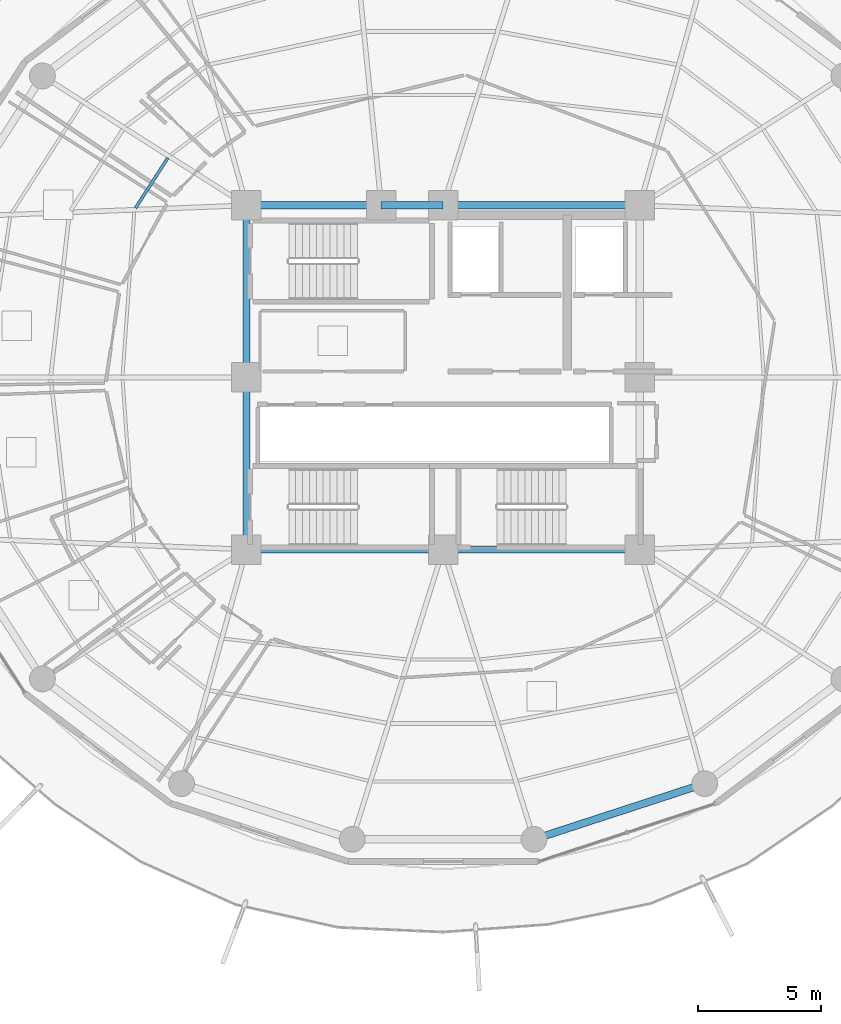
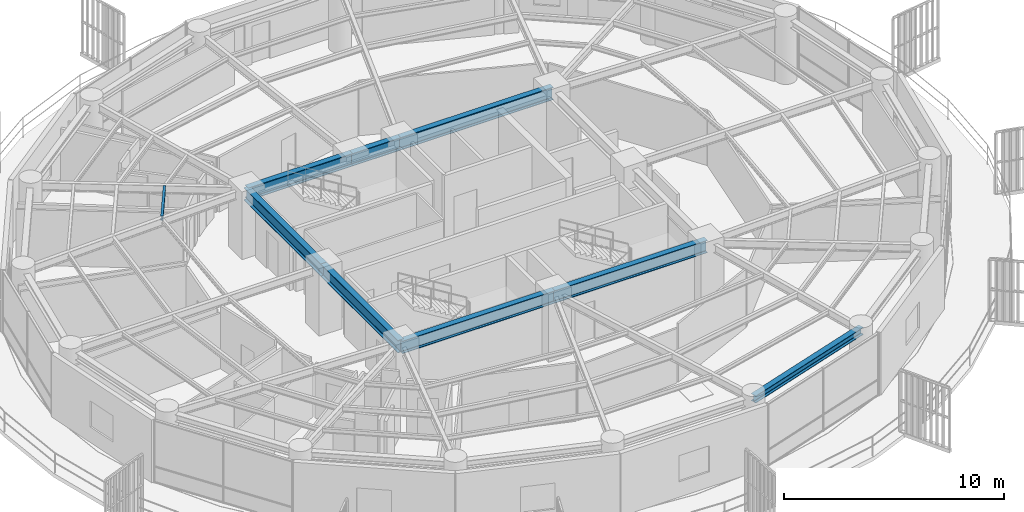
# One storey, part 9 of 30: 9 beams.
"""IFC4 building model written with IfcOpenShell, lengths in metres."""

from ifc_helpers import new_model, si_unit, direction, frame, origin, origin_2d, place, context, subcontext, project, spatial, i_section, extrude, material, material_profile, profile_set, type_object, element, save


model = new_model("IFC4")

# Units and contexts
model_context = context("Model", 3, precision=1e-05, world=origin(), true_north=direction((0.0, 1.0)))
body_context = subcontext(model_context, "Body", "Model", "MODEL_VIEW")
ifc_project = project(units=[si_unit("LENGTHUNIT", "METRE"), si_unit("AREAUNIT", "SQUARE_METRE"), si_unit("VOLUMEUNIT", "CUBIC_METRE"), si_unit("PLANEANGLEUNIT", "RADIAN"), si_unit("MASSUNIT", "GRAM", prefix="KILO")], contexts=[model_context])

# Site, building, storey
site_placement = place(None, origin())
site = spatial("IfcSite", under=ifc_project, at=site_placement, CompositionType="ELEMENT")
building_placement = place(site_placement, origin())
building = spatial("IfcBuilding", under=site, at=building_placement, Name="Kelanora Arch Commons", CompositionType="ELEMENT")
storey_placement = place(building_placement, frame((0.0, 0.0, 208.199951171875)))
storey = spatial("IfcBuildingStorey", under=building, at=storey_placement, Name="L53", CompositionType="ELEMENT", Elevation=208.199951171875)

# Beams
ifc_material = material(Name="Steel S355", Category="steel")
ifc_material_profile_1 = material_profile(ifc_material, i_section(OverallWidth=0.300048828125, OverallDepth=0.699951171875, WebThickness=0.01708984375, FlangeThickness=0.031982421875, FilletRadius=0.027099609375, at=origin_2d()), Name="HEB700")
ifc_profile_set_1 = profile_set([ifc_material_profile_1], Name="Steel S355")
beam_type_1 = type_object("IfcBeamType", Name="BM-CORE-HDR", PredefinedType="BEAM", material=ifc_profile_set_1)
for number, where, z_axis, x_axis, name in (
    (1, (66.0, 51.0, 3.14013671875), (1.0, 0.0, 0.0), (0.0, 1.0, 0.0), "Core Header Beam 01 L53"),
    (2, (74.0, 51.0, 3.14013671875), (1.0, 0.0, 0.0), (0.0, 1.0, 0.0), "Core Header Beam 02 L53"),
    (3, (82.0, 65.0, 3.14013671875), (-1.0, 0.0, 0.0), (0.0, -1.0, 0.0), "Core Header Beam 05 L53"),
):
    element("IfcBeam", number, at=place(storey_placement, frame(where, z_axis=z_axis, x_axis=x_axis)), inside=storey, type_object=beam_type_1, Name=name, PredefinedType="BEAM", context=body_context, shape_type="SweptSolid", body=[
        extrude(i_section(OverallWidth=0.300048828125, OverallDepth=0.699951171875, WebThickness=0.01708984375, FlangeThickness=0.031982421875, FilletRadius=0.027099609375, at=origin_2d()), origin(), (0.0, 0.0, 1.0), 8.0),
    ])
beam_1_placement = place(storey_placement, frame((74.0, 65.0, 3.14013671875), z_axis=(-1.0, 0.0, 0.0), x_axis=(0.0, -1.0, 0.0)))
element("IfcBeam", 4, at=beam_1_placement, inside=storey, type_object=beam_type_1, Name="Core Header Beam 06 L53", PredefinedType="BEAM", context=body_context, shape_type="SweptSolid", body=[
    extrude(i_section(OverallWidth=0.300048828125, OverallDepth=0.699951171875, WebThickness=0.01708984375, FlangeThickness=0.031982421875, FilletRadius=0.027099609375, at=origin_2d()), origin(), (0.0, 0.0, 1.0), 2.52001953125),
])
beam_2_placement = place(storey_placement, frame((71.47998046875, 65.0, 3.14013671875), z_axis=(-1.0, 0.0, 0.0), x_axis=(0.0, -1.0, 0.0)))
element("IfcBeam", 5, at=beam_2_placement, inside=storey, type_object=beam_type_1, Name="Core Header Beam 07 L53", PredefinedType="BEAM", context=body_context, shape_type="SweptSolid", body=[
    extrude(i_section(OverallWidth=0.300048828125, OverallDepth=0.699951171875, WebThickness=0.01708984375, FlangeThickness=0.031982421875, FilletRadius=0.027099609375, at=origin_2d()), origin(), (0.0, 0.0, 1.0), 5.47998046875),
])
for number, where, z_axis, x_axis, name in (
    (6, (66.0, 65.0, 3.14013671875), (0.0, -1.0, 0.0), (1.0, 0.0, 0.0), "Core Header Beam 08 L53"),
    (7, (66.0, 58.0, 3.14013671875), (0.0, -1.0, 0.0), (1.0, 0.0, 0.0), "Core Header Beam 09 L53"),
):
    element("IfcBeam", number, at=place(storey_placement, frame(where, z_axis=z_axis, x_axis=x_axis)), inside=storey, type_object=beam_type_1, Name=name, PredefinedType="BEAM", context=body_context, shape_type="SweptSolid", body=[
        extrude(i_section(OverallWidth=0.300048828125, OverallDepth=0.699951171875, WebThickness=0.01708984375, FlangeThickness=0.031982421875, FilletRadius=0.027099609375, at=origin_2d()), origin(), (0.0, 0.0, 1.0), 7.0),
    ])
ifc_material_profile_2 = material_profile(ifc_material, i_section(OverallWidth=0.1201171875, OverallDepth=0.239990234375, WebThickness=0.006103515625, FlangeThickness=0.009765625, FilletRadius=0.014892578125, at=origin_2d()), Name="IPE240")
ifc_profile_set_2 = profile_set([ifc_material_profile_2], Name="Steel S355")
beam_type_2 = type_object("IfcBeamType", Name="BM-JST-02", PredefinedType="JOIST", material=ifc_profile_set_2)
beam_3_placement = place(storey_placement, frame((62.79931640625, 66.928955078125, 3.3701171875), z_axis=(-0.541332763503, -0.840808443796, 0.0), x_axis=(0.840808443796, -0.541332763503, 0.0)))
element("IfcBeam", 8, at=beam_3_placement, inside=storey, type_object=beam_type_2, Name="Secondary Chord Joist BJA-14 L53", PredefinedType="JOIST", context=body_context, shape_type="SweptSolid", body=[
    extrude(i_section(OverallWidth=0.1201171875, OverallDepth=0.239990234375, WebThickness=0.006103515625, FlangeThickness=0.009765625, FilletRadius=0.014892578125, at=origin_2d()), origin(), (0.0, 0.0, 1.0), 2.423583984375),
])
ifc_material_profile_3 = material_profile(ifc_material, i_section(OverallWidth=0.300048828125, OverallDepth=0.39990234375, WebThickness=0.013427734375, FlangeThickness=0.02392578125, FilletRadius=0.027099609375, at=origin_2d()), Name="HEB400")
ifc_profile_set_3 = profile_set([ifc_material_profile_3], Name="Steel S355")
beam_type_3 = type_object("IfcBeamType", Name="BM-SPN-Z4", PredefinedType="SPANDREL", material=ifc_profile_set_3)
beam_4_placement = place(storey_placement, frame((77.6953125, 39.2099609375, 3.2900390625), z_axis=(0.950656361143, 0.310245842872, 0.0), x_axis=(-0.310245842872, 0.950656361143, 0.0)))
element("IfcBeam", 9, at=beam_4_placement, inside=storey, type_object=beam_type_3, Name="Perimeter Spandrel Beam BS-28 L53", PredefinedType="SPANDREL", context=body_context, shape_type="SweptSolid", body=[
    extrude(i_section(OverallWidth=0.300048828125, OverallDepth=0.39990234375, WebThickness=0.013427734375, FlangeThickness=0.02392578125, FilletRadius=0.027099609375, at=origin_2d()), origin(), (0.0, 0.0, 1.0), 7.304931640625),
])

save(model, "model.ifc")
